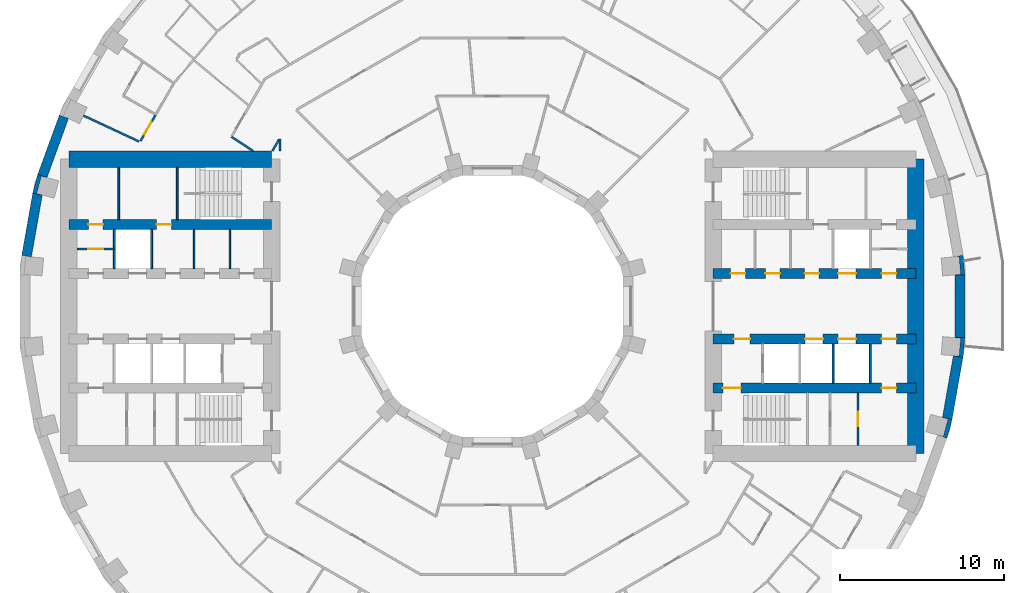
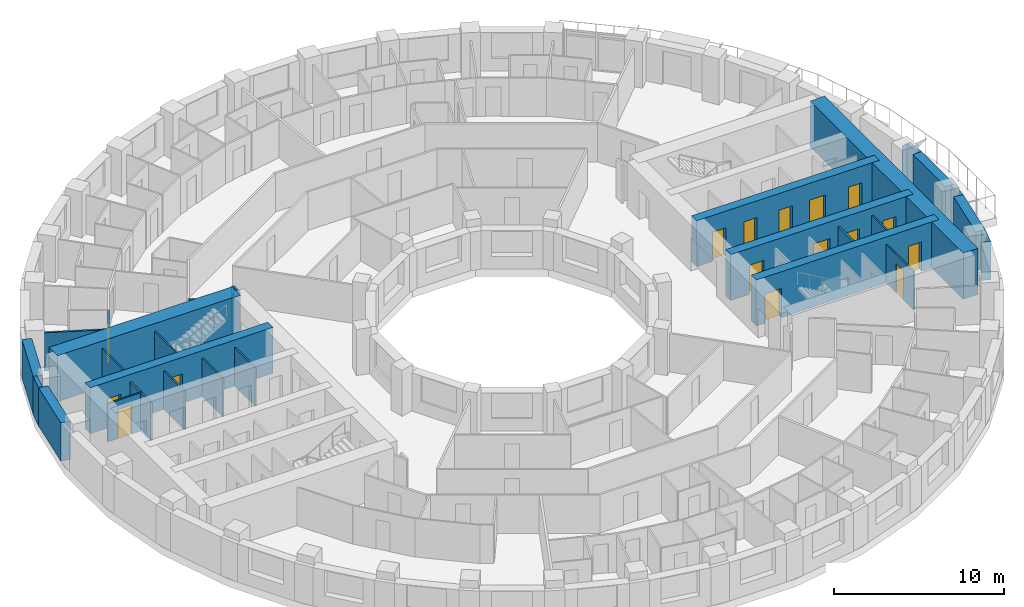
# One storey, part 9 of 15: 29 walls, 16 doors, 16 openings.
"""IFC4 building model written with IfcOpenShell, lengths in metres."""

from ifc_helpers import new_model, si_unit, direction, frame, frame_2d, origin, place, context, subcontext, project, spatial, polyline, rectangle, outline, extrude, material, layer, layer_set, type_object, element, fill, save


model = new_model("IFC4")

# Units and contexts
model_context = context("Model", 3, precision=1e-05, world=origin(), true_north=direction((0.0, 1.0)))
body_context = subcontext(model_context, "Body", "Model", "MODEL_VIEW")
ifc_project = project(units=[si_unit("LENGTHUNIT", "METRE"), si_unit("AREAUNIT", "SQUARE_METRE"), si_unit("VOLUMEUNIT", "CUBIC_METRE"), si_unit("PLANEANGLEUNIT", "RADIAN"), si_unit("MASSUNIT", "GRAM", prefix="KILO")], contexts=[model_context])

# Site, building, storey
site_placement = place(None, origin())
site = spatial("IfcSite", under=ifc_project, at=site_placement, CompositionType="ELEMENT")
building_placement = place(site_placement, origin())
building = spatial("IfcBuilding", under=site, at=building_placement, Name="Saqina Gate Tower", CompositionType="ELEMENT")
storey_placement = place(building_placement, frame((0.0, 0.0, 56.0)))
storey = spatial("IfcBuildingStorey", under=building, at=storey_placement, Name="L15", CompositionType="ELEMENT", Elevation=56.0)

# Walls
ifc_material_1 = material(Name="Brick masonry (red)", Category="masonry")
wall_type_1 = type_object("IfcWallType", Name="BRICK PIER COPING RED", PredefinedType="SOLIDWALL", material=ifc_material_1)
wall_1_placement = place(storey_placement, origin())
element("IfcWall", 1, at=wall_1_placement, inside=storey, type_object=wall_type_1, Name="Pier cap L15 column 1", PredefinedType="SOLIDWALL", context=body_context, shape_type="SweptSolid", body=[
    extrude(outline(polyline([(28.8896484375, 1.9228515625), (28.78466796875, 3.122802734375), (28.19384765625, 3.018798828125), (28.54296875, 3.04931640625), (28.638671875, 1.95361328125), (28.28955078125, 1.9228515625), (28.8896484375, 1.9228515625)])), origin(), (0.0, 0.0, 1.0), 2.75),
])
wall_2_placement = place(storey_placement, origin())
element("IfcWall", 2, at=wall_2_placement, inside=storey, type_object=wall_type_1, Name="Pier cap L15 column 17", PredefinedType="SOLIDWALL", context=body_context, shape_type="SweptSolid", body=[
    extrude(outline(polyline([(-28.11669921875, 6.910400390625), (-27.52587890625, 6.80615234375), (-27.864501953125, 6.896728515625), (-27.57958984375, 7.95947265625), (-27.2412109375, 7.86865234375), (-27.80517578125, 8.073974609375), (-28.11669921875, 6.910400390625)])), origin(), (0.0, 0.0, 1.0), 2.75),
])
wall_3_placement = place(storey_placement, origin())
element("IfcWall", 3, at=wall_3_placement, inside=storey, type_object=wall_type_1, Name="Pier cap L15 column 35", PredefinedType="SOLIDWALL", context=body_context, shape_type="SweptSolid", body=[
    extrude(outline(polyline([(28.11669921875, -6.910400390625), (27.52587890625, -6.80615234375), (27.864501953125, -6.896728515625), (27.57958984375, -7.95947265625), (27.2412109375, -7.86865234375), (27.80517578125, -8.073974609375), (28.11669921875, -6.910400390625)])), origin(), (0.0, 0.0, 1.0), 2.75),
])
wall_4_placement = place(storey_placement, origin())
element("IfcWall", 4, at=wall_4_placement, inside=storey, type_object=wall_type_1, Name="Pier cap L15 column 36", PredefinedType="SOLIDWALL", context=body_context, shape_type="SweptSolid", body=[
    extrude(outline(polyline([(28.78466796875, -3.122802734375), (28.8896484375, -1.9228515625), (28.28955078125, -1.9228515625), (28.638671875, -1.95361328125), (28.54296875, -3.04931640625), (28.19384765625, -3.018798828125), (28.78466796875, -3.122802734375)])), origin(), (0.0, 0.0, 1.0), 2.75),
])

# Wall, opening, door
ifc_material_2 = material(Name="Gypsum board on steel studs", Category="steel")
ifc_layer_1 = layer(ifc_material_2, 0.10009765625)
ifc_layer_set_1 = layer_set([ifc_layer_1], Name="CORE PARTITION")
wall_type_2 = type_object("IfcWallType", Name="CORE PARTITION", PredefinedType="PARTITIONING", material=ifc_layer_set_1)
wall_5_placement = place(storey_placement, frame((22.360107421875, -8.5, 0.0), z_axis=(0.0, 0.0, 1.0), x_axis=(0.0, 1.0, 0.0)))
wall_5 = element("IfcWall", 5, at=wall_5_placement, inside=storey, type_object=wall_type_2, Name="L15-CP-E14", PredefinedType="PARTITIONING", context=body_context, shape_type="SweptSolid", body=[
    extrude(rectangle(XDim=3.199951171875, YDim=0.10009765625, at=frame_2d((1.60009765625, 0.0))), origin(), (0.0, 0.0, 1.0), 2.75),
])
opening_1_placement = place(wall_5_placement, frame((1.14990234375, 0.0, 0.0)))
opening_1 = element("IfcOpeningElement", 6, at=opening_1_placement, cuts=wall_5, Name="Opening G04-D99", PredefinedType="OPENING", context=body_context, shape_type="SweptSolid", body=[
    extrude(rectangle(XDim=0.89990234375, YDim=2.10009765625, at=frame_2d((0.449951171875, 1.050048828125))), frame((0.0, 0.06201171875, 0.0), z_axis=(0.0, -1.0, 0.0), x_axis=(1.0, 0.0, 0.0)), (0.0, 0.0, 1.0), 0.1240234375),
])
ifc_material_3 = material(Name="Steel-framed fire door leaf, EI 60", Category="steel")
door_type_1 = type_object("IfcDoorType", Name="SERVICE ROOM DOOR 900", OperationType="SINGLE_SWING_LEFT", PredefinedType="DOOR", material=ifc_material_3)
door_1_placement = place(opening_1_placement, frame((0.89990234375, 0.0, 0.0), z_axis=(0.0, 0.0, 1.0), x_axis=(-1.0, 0.0, 0.0)))
door_1 = element("IfcDoor", 7, at=door_1_placement, inside=storey, type_object=door_type_1, Name="L15-CD-E10", OperationType="SINGLE_SWING_RIGHT", OverallHeight=2.10009765625, OverallWidth=0.89990234375, PredefinedType="DOOR", context=body_context, shape_type="SweptSolid", body=[
    extrude(rectangle(XDim=0.89990234375, YDim=2.10009765625, at=frame_2d((0.449951171875, 1.050048828125))), frame((0.0, 0.02490234375, 0.0), z_axis=(0.0, -1.0, 0.0), x_axis=(1.0, 0.0, 0.0)), (0.0, 0.0, 1.0), 0.050048828125),
])
fill(opening_1, door_1)

# Walls
for number, where, z_axis, x_axis, name in (
    (8, (-16.052001953125, 2.300048828125, 0.0), (0.0, 0.0, 1.0), (0.0, 1.0, 0.0), "L15-CP-W01"),
    (9, (-18.24072265625, 2.300048828125, 0.0), (0.0, 0.0, 1.0), (0.0, 1.0, 0.0), "L15-CP-W02"),
):
    element("IfcWall", number, at=place(storey_placement, frame(where, z_axis=z_axis, x_axis=x_axis)), inside=storey, type_object=wall_type_2, Name=name, PredefinedType="PARTITIONING", context=body_context, shape_type="SweptSolid", body=[
        extrude(rectangle(XDim=2.39990234375, YDim=0.10009765625, at=frame_2d((1.199951171875, 0.0))), origin(), (0.0, 0.0, 1.0), 2.75),
    ])

# Wall, opening, door
wall_6_placement = place(storey_placement, frame((-23.1201171875, 3.5, 0.0), z_axis=(0.0, 0.0, 1.0), x_axis=(-1.0, 0.0, 0.0)))
wall_6 = element("IfcWall", 10, at=wall_6_placement, inside=storey, type_object=wall_type_2, Name="L15-CP-W09", PredefinedType="PARTITIONING", context=body_context, shape_type="SweptSolid", body=[
    extrude(rectangle(XDim=2.27978515625, YDim=0.10009765625, at=frame_2d((1.139892578125, 0.0))), origin(), (0.0, 0.0, 1.0), 2.75),
])
opening_2_placement = place(wall_6_placement, frame((0.68994140625, 0.0, 0.0)))
opening_2 = element("IfcOpeningElement", 11, at=opening_2_placement, cuts=wall_6, Name="Opening G04-D112", PredefinedType="OPENING", context=body_context, shape_type="SweptSolid", body=[
    extrude(rectangle(XDim=0.89990234375, YDim=2.10009765625, at=frame_2d((0.449951171875, 1.050048828125))), frame((0.0, 0.06201171875, 0.0), z_axis=(0.0, -1.0, 0.0), x_axis=(1.0, 0.0, 0.0)), (0.0, 0.0, 1.0), 0.1240234375),
])
door_2_placement = place(opening_2_placement, frame((0.89990234375, 0.0, 0.0), z_axis=(0.0, 0.0, 1.0), x_axis=(-1.0, 0.0, 0.0)))
door_2 = element("IfcDoor", 12, at=door_2_placement, inside=storey, type_object=door_type_1, Name="L15-CD-W23", OperationType="SINGLE_SWING_LEFT", OverallHeight=2.10009765625, OverallWidth=0.89990234375, PredefinedType="DOOR", context=body_context, shape_type="SweptSolid", body=[
    extrude(rectangle(XDim=0.89990234375, YDim=2.10009765625, at=frame_2d((0.449951171875, 1.050048828125))), frame((0.0, 0.02490234375, 0.0), z_axis=(0.0, -1.0, 0.0), x_axis=(1.0, 0.0, 0.0)), (0.0, 0.0, 1.0), 0.050048828125),
])
fill(opening_2, door_2)

# Walls
wall_7_placement = place(storey_placement, frame((-22.846435546875, 5.300048828125, 0.0), z_axis=(0.0, 0.0, 1.0), x_axis=(0.0, 1.0, 0.0)))
element("IfcWall", 13, at=wall_7_placement, inside=storey, type_object=wall_type_2, Name="L15-CP-W11", PredefinedType="PARTITIONING", context=body_context, shape_type="SweptSolid", body=[
    extrude(rectangle(XDim=3.199951171875, YDim=0.10009765625, at=frame_2d((1.60009765625, 0.0))), origin(), (0.0, 0.0, 1.0), 2.75),
])
ifc_material_4 = material(Name="Glazed ceramic tile", Category="ceramic")
ifc_layer_2 = layer(ifc_material_4, 0.60009765625)
ifc_layer_set_2 = layer_set([ifc_layer_2], Name="FW-TILE")
wall_type_3 = type_object("IfcWallType", Name="FW-TILE", PredefinedType="SOLIDWALL", material=ifc_layer_set_2)
wall_8_placement = place(storey_placement, frame((-26.207763671875, 11.585205078125, 0.0), z_axis=(0.0, 0.0, 1.0), x_axis=(-0.342028474173, -0.939689588564, 0.0)))
element("IfcWall", 14, at=wall_8_placement, inside=storey, type_object=wall_type_3, Name="Facade wall L15 facet 16", PredefinedType="SOLIDWALL", context=body_context, shape_type="SweptSolid", body=[
    extrude(rectangle(XDim=3.845947265625, YDim=0.60009765625, at=frame_2d((1.9228515625, 0.0))), origin(), (0.0, 0.0, 1.0), 2.75),
])
wall_9_placement = place(storey_placement, frame((28.589599609375, -1.9228515625, 0.0), z_axis=(0.0, 0.0, 1.0), x_axis=(0.0, 1.0, 0.0)))
element("IfcWall", 15, at=wall_9_placement, inside=storey, type_object=wall_type_3, Name="Facade wall L15 facet 36", PredefinedType="SOLIDWALL", context=body_context, shape_type="SweptSolid", body=[
    extrude(rectangle(XDim=3.845703125, YDim=0.60009765625, at=frame_2d((1.9228515625, 0.0))), origin(), (0.0, 0.0, 1.0), 2.75),
])
ifc_material_5 = material(Name="Glazed ceramic tile (dark blue)", Category="ceramic")
ifc_layer_3 = layer(ifc_material_5, 0.60009765625)
ifc_layer_set_3 = layer_set([ifc_layer_3], Name="FW-TILE-CB")
wall_type_4 = type_object("IfcWallType", Name="FW-TILE-CB", PredefinedType="SOLIDWALL", material=ifc_layer_set_3)
wall_10_placement = place(storey_placement, frame((27.8212890625, -6.858154296875, 0.0), z_axis=(0.0, 0.0, 1.0), x_axis=(0.173687553279, 0.984800809218, 0.0)))
element("IfcWall", 16, at=wall_10_placement, inside=storey, type_object=wall_type_4, Name="Facade wall L15 facet 35", PredefinedType="SOLIDWALL", context=body_context, shape_type="SweptSolid", body=[
    extrude(rectangle(XDim=3.845703125, YDim=0.60009765625, at=frame_2d((1.9228515625, 0.0))), origin(), (0.0, 0.0, 1.0), 2.75),
])
ifc_material_6 = material(Name="Glazed ceramic tile (white)", Category="ceramic")
ifc_layer_4 = layer(ifc_material_6, 0.60009765625)
ifc_layer_set_4 = layer_set([ifc_layer_4], Name="FW-TILE-WH")
wall_type_5 = type_object("IfcWallType", Name="FW-TILE-WH", PredefinedType="SOLIDWALL", material=ifc_layer_set_4)
wall_11_placement = place(storey_placement, frame((-27.8212890625, 6.858154296875, 0.0), z_axis=(0.0, 0.0, 1.0), x_axis=(-0.173687553279, -0.984800809218, 0.0)))
element("IfcWall", 17, at=wall_11_placement, inside=storey, type_object=wall_type_5, Name="Facade wall L15 facet 17", PredefinedType="SOLIDWALL", context=body_context, shape_type="SweptSolid", body=[
    extrude(rectangle(XDim=3.845703125, YDim=0.60009765625, at=frame_2d((1.9228515625, 0.0))), origin(), (0.0, 0.0, 1.0), 2.75),
])
ifc_material_7 = material(Name="Gypsum board on steel studs, 125 mm, fire rated", Category="steel")
ifc_layer_5 = layer(ifc_material_7, 0.125)
ifc_layer_set_5 = layer_set([ifc_layer_5], Name="PARTITION EI 30 125")
wall_type_6 = type_object("IfcWallType", Name="PARTITION EI 30 125", PredefinedType="PARTITIONING", material=ifc_layer_set_5)
wall_12_placement = place(storey_placement, frame((-15.95703125, 10.362060546875, 0.0), z_axis=(0.0, 0.0, 1.0), x_axis=(0.838795721465, -0.544446267002, 0.0)))
element("IfcWall", 18, at=wall_12_placement, inside=storey, type_object=wall_type_6, Name="PARTITION PW1-08", PredefinedType="PARTITIONING", context=body_context, shape_type="SweptSolid", body=[
    extrude(rectangle(XDim=1.583251953125, YDim=0.125, at=frame_2d((0.79150390625, 0.0))), origin(), (0.0, 0.0, 1.0), 2.75),
])
wall_13_placement = place(storey_placement, frame((-25.005126953125, 11.659912109375, 0.0), z_axis=(0.0, 0.0, 1.0), x_axis=(0.906339528383, -0.42255018553, 0.0)))
element("IfcWall", 19, at=wall_13_placement, inside=storey, type_object=wall_type_6, Name="PARTITION PW1-15", PredefinedType="PARTITIONING", context=body_context, shape_type="SweptSolid", body=[
    extrude(rectangle(XDim=3.74755859375, YDim=0.125, at=frame_2d((1.873779296875, 0.0))), origin(), (0.0, 0.0, 1.0), 2.75),
])
wall_14_placement = place(storey_placement, frame((-13.451904296875, 9.5, 0.0), z_axis=(0.0, 0.0, 1.0), x_axis=(0.49991670217, 0.866073490468, 0.0)))
element("IfcWall", 20, at=wall_14_placement, inside=storey, type_object=wall_type_6, Name="PARTITION PW1-49", PredefinedType="PARTITIONING", context=body_context, shape_type="SweptSolid", body=[
    extrude(rectangle(XDim=0.834228515625, YDim=0.125, at=frame_2d((0.4169921875, 0.0))), origin(), (0.0, 0.0, 1.0), 2.75),
])

# Wall, opening, door
wall_15_placement = place(storey_placement, frame((-21.520751953125, 10.10400390625, 0.0), z_axis=(0.0, 0.0, 1.0), x_axis=(0.500003827654, 0.866023193876, 0.0)))
wall_15 = element("IfcWall", 21, at=wall_15_placement, inside=storey, type_object=wall_type_6, Name="PARTITION PW1-51", PredefinedType="PARTITIONING", context=body_context, shape_type="SweptSolid", body=[
    extrude(rectangle(XDim=1.82763671875, YDim=0.125, at=frame_2d((0.913818359375, 0.0))), origin(), (0.0, 0.0, 1.0), 2.75),
])
opening_3_placement = place(wall_15_placement, frame((0.45849609375, 0.0, 0.0)))
opening_3 = element("IfcOpeningElement", 22, at=opening_3_placement, cuts=wall_15, Name="Opening G04-D36", PredefinedType="OPENING", context=body_context, shape_type="SweptSolid", body=[
    extrude(rectangle(XDim=0.89990234375, YDim=2.10009765625, at=frame_2d((0.449951171875, 1.050048828125))), frame((0.0, 0.074462890625, 0.0), z_axis=(0.0, -1.0, 0.0), x_axis=(1.0, 0.0, 0.0)), (0.0, 0.0, 1.0), 0.14892578125),
])
ifc_material_8 = material(Name="Fire door leaf EI 30, 900 mm")
door_type_2 = type_object("IfcDoorType", Name="DOOR 900 EI 30", OperationType="SINGLE_SWING_LEFT", PredefinedType="DOOR", material=ifc_material_8)
door_3_placement = place(opening_3_placement, frame((0.89990234375, 0.0, 0.0), z_axis=(0.0, 0.0, 1.0), x_axis=(-1.0, 0.0, 0.0)))
door_3 = element("IfcDoor", 23, at=door_3_placement, inside=storey, type_object=door_type_2, Name="DOOR G04-D36", OperationType="SINGLE_SWING_RIGHT", OverallHeight=2.10009765625, OverallWidth=0.89990234375, PredefinedType="DOOR", context=body_context, shape_type="SweptSolid", body=[
    extrude(rectangle(XDim=0.89990234375, YDim=2.10009765625, at=frame_2d((0.449951171875, 1.050048828125))), frame((0.0, 0.02490234375, 0.0), z_axis=(0.0, -1.0, 0.0), x_axis=(1.0, 0.0, 0.0)), (0.0, 0.0, 1.0), 0.050048828125),
])
fill(opening_3, door_3)

# Walls
wall_16_placement = place(storey_placement, frame((-13.0, 9.5, 0.0), z_axis=(0.0, 0.0, 1.0), x_axis=(0.0, 1.0, 0.0)))
element("IfcWall", 24, at=wall_16_placement, inside=storey, type_object=wall_type_6, Name="PARTITION PW1-55", PredefinedType="PARTITIONING", context=body_context, shape_type="SweptSolid", body=[
    extrude(rectangle(XDim=0.720458984375, YDim=0.125, at=frame_2d((0.3603515625, 0.0))), origin(), (0.0, 0.0, 1.0), 2.75),
])
ifc_material_9 = material(Name="Autoclaved aerated concrete block", Category="concrete")
ifc_layer_6 = layer(ifc_material_9, 0.1201171875)
ifc_layer_set_6 = layer_set([ifc_layer_6], Name="SHAFT PARTITION")
wall_type_7 = type_object("IfcWallType", Name="SHAFT PARTITION", PredefinedType="PARTITIONING", material=ifc_layer_set_6)
for number, where, z_axis, x_axis, name in (
    (25, (20.840087890625, -4.699951171875, 0.0), (0.0, 0.0, 1.0), (0.0, 1.0, 0.0), "L15-CP-E07"),
    (26, (23.1201171875, -4.699951171875, 0.0), (0.0, 0.0, 1.0), (0.0, 1.0, 0.0), "L15-CP-E08"),
    (27, (-20.840087890625, 2.300048828125, 0.0), (0.0, 0.0, 1.0), (0.0, 1.0, 0.0), "L15-CP-W03"),
    (28, (-23.1201171875, 2.300048828125, 0.0), (0.0, 0.0, 1.0), (0.0, 1.0, 0.0), "L15-CP-W04"),
):
    element("IfcWall", number, at=place(storey_placement, frame(where, z_axis=z_axis, x_axis=x_axis)), inside=storey, type_object=wall_type_7, Name=name, PredefinedType="PARTITIONING", context=body_context, shape_type="SweptSolid", body=[
        extrude(rectangle(XDim=2.39990234375, YDim=0.1201171875, at=frame_2d((1.199951171875, 0.0))), origin(), (0.0, 0.0, 1.0), 2.75),
    ])
ifc_material_10 = material(Name="Autoclaved aerated concrete block", Category="concrete")
ifc_layer_7 = layer(ifc_material_10, 0.10009765625)
ifc_layer_set_7 = layer_set([ifc_layer_7], Name="STAIR ENCLOSURE WALL")
wall_type_8 = type_object("IfcWallType", Name="STAIR ENCLOSURE WALL", PredefinedType="PARTITIONING", material=ifc_layer_set_7)
wall_17_placement = place(storey_placement, frame((-19.27001953125, 5.300048828125, 0.0), z_axis=(0.0, 0.0, 1.0), x_axis=(0.0, 1.0, 0.0)))
element("IfcWall", 29, at=wall_17_placement, inside=storey, type_object=wall_type_8, Name="L15-CP-W10", PredefinedType="PARTITIONING", context=body_context, shape_type="SweptSolid", body=[
    extrude(rectangle(XDim=3.199951171875, YDim=0.10009765625, at=frame_2d((1.60009765625, 0.0))), origin(), (0.0, 0.0, 1.0), 2.75),
])

# Wall, openings, doors
ifc_material_11 = material(Name="Concrete C70/85", Category="concrete")
ifc_layer_8 = layer(ifc_material_11, 0.60009765625)
ifc_layer_set_8 = layer_set([ifc_layer_8], Name="Concrete C70/85")
wall_type_9 = type_object("IfcWallType", Name="STR-CORE WALL-A-I", PredefinedType="SHEAR", material=ifc_layer_set_8)
wall_18_placement = place(storey_placement, frame((13.5, -5.0, 0.0), z_axis=(0.0, 0.0, 1.0), x_axis=(1.0, 0.0, 0.0)))
wall_18 = element("IfcWall", 30, at=wall_18_placement, inside=storey, type_object=wall_type_9, Name="CORE WALL L15 E-X2", PredefinedType="SHEAR", context=body_context, shape_type="SweptSolid", body=[
    extrude(rectangle(XDim=12.39990234375, YDim=0.60009765625, at=frame_2d((6.199951171875, 0.0))), origin(), (0.0, 0.0, 1.0), 3.300048828125),
])
opening_4_placement = place(wall_18_placement, frame((10.31005859375, 0.0, 0.0)))
opening_4 = element("IfcOpeningElement", 31, at=opening_4_placement, cuts=wall_18, Name="Opening G04-D101", PredefinedType="OPENING", context=body_context, shape_type="SweptSolid", body=[
    extrude(rectangle(XDim=0.89990234375, YDim=2.10009765625, at=frame_2d((0.449951171875, 1.050048828125))), frame((0.0, 0.31201171875, 0.0), z_axis=(0.0, -1.0, 0.0), x_axis=(1.0, 0.0, 0.0)), (0.0, 0.0, 1.0), 0.6240234375),
])
opening_5_placement = place(wall_18_placement, frame((0.60009765625, 0.0, 0.0)))
opening_5 = element("IfcOpeningElement", 32, at=opening_5_placement, cuts=wall_18, Name="Opening G04-D102", PredefinedType="OPENING", context=body_context, shape_type="SweptSolid", body=[
    extrude(rectangle(XDim=1.10009765625, YDim=2.10009765625, at=frame_2d((0.550048828125, 1.050048828125))), frame((0.0, 0.31201171875, 0.0), z_axis=(0.0, -1.0, 0.0), x_axis=(1.0, 0.0, 0.0)), (0.0, 0.0, 1.0), 0.6240234375),
])
ifc_material_12 = material(Name="Steel", Category="steel")
door_type_3 = type_object("IfcDoorType", Name="FIRE LOBBY DOOR EI 60 WIDE", OperationType="SINGLE_SWING_LEFT", PredefinedType="DOOR", material=ifc_material_12)
door_4_placement = place(opening_5_placement, frame((1.10009765625, 0.0, 0.0), z_axis=(0.0, 0.0, 1.0), x_axis=(-1.0, 0.0, 0.0)))
door_4 = element("IfcDoor", 33, at=door_4_placement, inside=storey, type_object=door_type_3, Name="L15-CD-E13", OperationType="SINGLE_SWING_RIGHT", OverallHeight=2.10009765625, OverallWidth=1.10009765625, PredefinedType="DOOR", context=body_context, shape_type="SweptSolid", body=[
    extrude(rectangle(XDim=1.10009765625, YDim=2.10009765625, at=frame_2d((0.550048828125, 1.050048828125))), frame((0.0, 0.02490234375, 0.0), z_axis=(0.0, -1.0, 0.0), x_axis=(1.0, 0.0, 0.0)), (0.0, 0.0, 1.0), 0.050048828125),
])
fill(opening_5, door_4)
door_5_placement = place(opening_4_placement, frame((0.89990234375, 0.0, 0.0), z_axis=(0.0, 0.0, 1.0), x_axis=(-1.0, 0.0, 0.0)))
door_5 = element("IfcDoor", 34, at=door_5_placement, inside=storey, type_object=door_type_1, Name="L15-CD-E12", OperationType="SINGLE_SWING_LEFT", OverallHeight=2.10009765625, OverallWidth=0.89990234375, PredefinedType="DOOR", context=body_context, shape_type="SweptSolid", body=[
    extrude(rectangle(XDim=0.89990234375, YDim=2.10009765625, at=frame_2d((0.449951171875, 1.050048828125))), frame((0.0, 0.02490234375, 0.0), z_axis=(0.0, -1.0, 0.0), x_axis=(1.0, 0.0, 0.0)), (0.0, 0.0, 1.0), 0.050048828125),
])
fill(opening_4, door_5)

wall_19_placement = place(storey_placement, frame((13.5, 2.0, 0.0), z_axis=(0.0, 0.0, 1.0), x_axis=(1.0, 0.0, 0.0)))
wall_19 = element("IfcWall", 35, at=wall_19_placement, inside=storey, type_object=wall_type_9, Name="CORE WALL L15 E-L1", PredefinedType="SHEAR", context=body_context, shape_type="SweptSolid", body=[
    extrude(rectangle(XDim=12.39990234375, YDim=0.60009765625, at=frame_2d((6.199951171875, 0.0))), origin(), (0.0, 0.0, 1.0), 3.300048828125),
])
opening_6_placement = place(wall_19_placement, frame((7.64990234375, 0.0, 0.0)))
opening_6 = element("IfcOpeningElement", 36, at=opening_6_placement, cuts=wall_19, Name="Opening G04-LD1", PredefinedType="OPENING", context=body_context, shape_type="SweptSolid", body=[
    extrude(rectangle(XDim=1.10009765625, YDim=2.10009765625, at=frame_2d((0.550048828125, 1.050048828125))), frame((0.0, 0.31201171875, 0.0), z_axis=(0.0, -1.0, 0.0), x_axis=(1.0, 0.0, 0.0)), (0.0, 0.0, 1.0), 0.6240234375),
])
opening_7_placement = place(wall_19_placement, frame((1.075927734375, 0.0, 0.0)))
opening_7 = element("IfcOpeningElement", 37, at=opening_7_placement, cuts=wall_19, Name="Opening G04-D90", PredefinedType="OPENING", context=body_context, shape_type="SweptSolid", body=[
    extrude(rectangle(XDim=0.89990234375, YDim=2.10009765625, at=frame_2d((0.449951171875, 1.050048828125))), frame((0.0, 0.31201171875, 0.0), z_axis=(0.0, -1.0, 0.0), x_axis=(1.0, 0.0, 0.0)), (0.0, 0.0, 1.0), 0.6240234375),
])
opening_8_placement = place(wall_19_placement, frame((3.1962890625, 0.0, 0.0)))
opening_8 = element("IfcOpeningElement", 38, at=opening_8_placement, cuts=wall_19, Name="Opening G04-D91", PredefinedType="OPENING", context=body_context, shape_type="SweptSolid", body=[
    extrude(rectangle(XDim=0.89990234375, YDim=2.10009765625, at=frame_2d((0.449951171875, 1.050048828125))), frame((0.0, 0.31201171875, 0.0), z_axis=(0.0, -1.0, 0.0), x_axis=(1.0, 0.0, 0.0)), (0.0, 0.0, 1.0), 0.6240234375),
])
opening_9_placement = place(wall_19_placement, frame((5.59033203125, 0.0, 0.0)))
opening_9 = element("IfcOpeningElement", 39, at=opening_9_placement, cuts=wall_19, Name="Opening G04-D92", PredefinedType="OPENING", context=body_context, shape_type="SweptSolid", body=[
    extrude(rectangle(XDim=0.89990234375, YDim=2.10009765625, at=frame_2d((0.449951171875, 1.050048828125))), frame((0.0, 0.31201171875, 0.0), z_axis=(0.0, -1.0, 0.0), x_axis=(1.0, 0.0, 0.0)), (0.0, 0.0, 1.0), 0.6240234375),
])
opening_10_placement = place(wall_19_placement, frame((10.31005859375, 0.0, 0.0)))
opening_10 = element("IfcOpeningElement", 40, at=opening_10_placement, cuts=wall_19, Name="Opening G04-D93", PredefinedType="OPENING", context=body_context, shape_type="SweptSolid", body=[
    extrude(rectangle(XDim=0.89990234375, YDim=2.10009765625, at=frame_2d((0.449951171875, 1.050048828125))), frame((0.0, 0.31201171875, 0.0), z_axis=(0.0, -1.0, 0.0), x_axis=(1.0, 0.0, 0.0)), (0.0, 0.0, 1.0), 0.6240234375),
])
ifc_material_13 = material(Name="Stainless steel", Category="steel")
door_type_4 = type_object("IfcDoorType", Name="LANDING DOOR", OperationType="DOUBLE_DOOR_SLIDING", PredefinedType="DOOR", material=ifc_material_13)
door_6_placement = place(opening_6_placement, origin())
door_6 = element("IfcDoor", 41, at=door_6_placement, inside=storey, type_object=door_type_4, Name="LANDING DOOR LR1", OperationType="DOUBLE_DOOR_SLIDING", OverallHeight=2.10009765625, OverallWidth=1.10009765625, PredefinedType="DOOR", context=body_context, shape_type="SweptSolid", body=[
    extrude(rectangle(XDim=1.10009765625, YDim=2.10009765625, at=frame_2d((0.550048828125, 1.050048828125))), frame((0.0, 0.02490234375, 0.0), z_axis=(0.0, -1.0, 0.0), x_axis=(1.0, 0.0, 0.0)), (0.0, 0.0, 1.0), 0.050048828125),
])
fill(opening_6, door_6)
door_7_placement = place(opening_7_placement, origin())
door_7 = element("IfcDoor", 42, at=door_7_placement, inside=storey, type_object=door_type_1, Name="L15-CD-E01", OperationType="SINGLE_SWING_RIGHT", OverallHeight=2.10009765625, OverallWidth=0.89990234375, PredefinedType="DOOR", context=body_context, shape_type="SweptSolid", body=[
    extrude(rectangle(XDim=0.89990234375, YDim=2.10009765625, at=frame_2d((0.449951171875, 1.050048828125))), frame((0.0, 0.02490234375, 0.0), z_axis=(0.0, -1.0, 0.0), x_axis=(1.0, 0.0, 0.0)), (0.0, 0.0, 1.0), 0.050048828125),
])
fill(opening_7, door_7)
door_8_placement = place(opening_8_placement, origin())
door_8 = element("IfcDoor", 43, at=door_8_placement, inside=storey, type_object=door_type_1, Name="L15-CD-E02", OperationType="SINGLE_SWING_LEFT", OverallHeight=2.10009765625, OverallWidth=0.89990234375, PredefinedType="DOOR", context=body_context, shape_type="SweptSolid", body=[
    extrude(rectangle(XDim=0.89990234375, YDim=2.10009765625, at=frame_2d((0.449951171875, 1.050048828125))), frame((0.0, 0.02490234375, 0.0), z_axis=(0.0, -1.0, 0.0), x_axis=(1.0, 0.0, 0.0)), (0.0, 0.0, 1.0), 0.050048828125),
])
fill(opening_8, door_8)
door_9_placement = place(opening_9_placement, origin())
door_9 = element("IfcDoor", 44, at=door_9_placement, inside=storey, type_object=door_type_1, Name="L15-CD-E03", OperationType="SINGLE_SWING_LEFT", OverallHeight=2.10009765625, OverallWidth=0.89990234375, PredefinedType="DOOR", context=body_context, shape_type="SweptSolid", body=[
    extrude(rectangle(XDim=0.89990234375, YDim=2.10009765625, at=frame_2d((0.449951171875, 1.050048828125))), frame((0.0, 0.02490234375, 0.0), z_axis=(0.0, -1.0, 0.0), x_axis=(1.0, 0.0, 0.0)), (0.0, 0.0, 1.0), 0.050048828125),
])
fill(opening_9, door_9)
door_10_placement = place(opening_10_placement, origin())
door_10 = element("IfcDoor", 45, at=door_10_placement, inside=storey, type_object=door_type_1, Name="L15-CD-E04", OperationType="SINGLE_SWING_RIGHT", OverallHeight=2.10009765625, OverallWidth=0.89990234375, PredefinedType="DOOR", context=body_context, shape_type="SweptSolid", body=[
    extrude(rectangle(XDim=0.89990234375, YDim=2.10009765625, at=frame_2d((0.449951171875, 1.050048828125))), frame((0.0, 0.02490234375, 0.0), z_axis=(0.0, -1.0, 0.0), x_axis=(1.0, 0.0, 0.0)), (0.0, 0.0, 1.0), 0.050048828125),
])
fill(opening_10, door_10)

wall_20_placement = place(storey_placement, frame((13.5, -2.0, 0.0), z_axis=(0.0, 0.0, 1.0), x_axis=(1.0, 0.0, 0.0)))
wall_20 = element("IfcWall", 46, at=wall_20_placement, inside=storey, type_object=wall_type_9, Name="CORE WALL L15 E-L2", PredefinedType="SHEAR", context=body_context, shape_type="SweptSolid", body=[
    extrude(rectangle(XDim=12.39990234375, YDim=0.60009765625, at=frame_2d((6.199951171875, 0.0))), origin(), (0.0, 0.0, 1.0), 3.300048828125),
])
opening_11_placement = place(wall_20_placement, frame((5.6201171875, 0.0, 0.0)))
opening_11 = element("IfcOpeningElement", 47, at=opening_11_placement, cuts=wall_20, Name="Opening G04-LD3", PredefinedType="OPENING", context=body_context, shape_type="SweptSolid", body=[
    extrude(rectangle(XDim=1.10009765625, YDim=2.10009765625, at=frame_2d((0.550048828125, 1.050048828125))), frame((0.0, 0.31201171875, 0.0), z_axis=(0.0, -1.0, 0.0), x_axis=(1.0, 0.0, 0.0)), (0.0, 0.0, 1.0), 0.6240234375),
])
opening_12_placement = place(wall_20_placement, frame((7.64990234375, 0.0, 0.0)))
opening_12 = element("IfcOpeningElement", 48, at=opening_12_placement, cuts=wall_20, Name="Opening G04-LD4", PredefinedType="OPENING", context=body_context, shape_type="SweptSolid", body=[
    extrude(rectangle(XDim=1.10009765625, YDim=2.10009765625, at=frame_2d((0.550048828125, 1.050048828125))), frame((0.0, 0.31201171875, 0.0), z_axis=(0.0, -1.0, 0.0), x_axis=(1.0, 0.0, 0.0)), (0.0, 0.0, 1.0), 0.6240234375),
])
opening_13_placement = place(wall_20_placement, frame((1.264892578125, 0.0, 0.0)))
opening_13 = element("IfcOpeningElement", 49, at=opening_13_placement, cuts=wall_20, Name="Opening G04-D94", PredefinedType="OPENING", context=body_context, shape_type="SweptSolid", body=[
    extrude(rectangle(XDim=1.0, YDim=2.10009765625, at=frame_2d((0.5, 1.050048828125))), frame((0.0, 0.31201171875, 0.0), z_axis=(0.0, -1.0, 0.0), x_axis=(1.0, 0.0, 0.0)), (0.0, 0.0, 1.0), 0.6240234375),
])
opening_14_placement = place(wall_20_placement, frame((10.31005859375, 0.0, 0.0)))
opening_14 = element("IfcOpeningElement", 50, at=opening_14_placement, cuts=wall_20, Name="Opening G04-D95", PredefinedType="OPENING", context=body_context, shape_type="SweptSolid", body=[
    extrude(rectangle(XDim=0.89990234375, YDim=2.10009765625, at=frame_2d((0.449951171875, 1.050048828125))), frame((0.0, 0.31201171875, 0.0), z_axis=(0.0, -1.0, 0.0), x_axis=(1.0, 0.0, 0.0)), (0.0, 0.0, 1.0), 0.6240234375),
])
ifc_material_14 = material(Name="Steel", Category="steel")
door_type_5 = type_object("IfcDoorType", Name="FIRE LOBBY DOOR EI 60", OperationType="SINGLE_SWING_LEFT", PredefinedType="DOOR", material=ifc_material_14)
door_11_placement = place(opening_13_placement, origin())
door_11 = element("IfcDoor", 51, at=door_11_placement, inside=storey, type_object=door_type_5, Name="L15-CD-E05", OperationType="SINGLE_SWING_LEFT", OverallHeight=2.10009765625, OverallWidth=1.0, PredefinedType="DOOR", context=body_context, shape_type="SweptSolid", body=[
    extrude(rectangle(XDim=1.0, YDim=2.10009765625, at=frame_2d((0.5, 1.050048828125))), frame((0.0, 0.02490234375, 0.0), z_axis=(0.0, -1.0, 0.0), x_axis=(1.0, 0.0, 0.0)), (0.0, 0.0, 1.0), 0.050048828125),
])
fill(opening_13, door_11)
door_12_placement = place(opening_11_placement, origin())
door_12 = element("IfcDoor", 52, at=door_12_placement, inside=storey, type_object=door_type_4, Name="LANDING DOOR LR3", OperationType="DOUBLE_DOOR_SLIDING", OverallHeight=2.10009765625, OverallWidth=1.10009765625, PredefinedType="DOOR", context=body_context, shape_type="SweptSolid", body=[
    extrude(rectangle(XDim=1.10009765625, YDim=2.10009765625, at=frame_2d((0.550048828125, 1.050048828125))), frame((0.0, 0.02490234375, 0.0), z_axis=(0.0, -1.0, 0.0), x_axis=(1.0, 0.0, 0.0)), (0.0, 0.0, 1.0), 0.050048828125),
])
fill(opening_11, door_12)
door_13_placement = place(opening_12_placement, origin())
door_13 = element("IfcDoor", 53, at=door_13_placement, inside=storey, type_object=door_type_4, Name="LANDING DOOR LR2", OperationType="DOUBLE_DOOR_SLIDING", OverallHeight=2.10009765625, OverallWidth=1.10009765625, PredefinedType="DOOR", context=body_context, shape_type="SweptSolid", body=[
    extrude(rectangle(XDim=1.10009765625, YDim=2.10009765625, at=frame_2d((0.550048828125, 1.050048828125))), frame((0.0, 0.02490234375, 0.0), z_axis=(0.0, -1.0, 0.0), x_axis=(1.0, 0.0, 0.0)), (0.0, 0.0, 1.0), 0.050048828125),
])
fill(opening_12, door_13)
door_14_placement = place(opening_14_placement, frame((0.89990234375, 0.0, 0.0), z_axis=(0.0, 0.0, 1.0), x_axis=(-1.0, 0.0, 0.0)))
door_14 = element("IfcDoor", 54, at=door_14_placement, inside=storey, type_object=door_type_1, Name="L15-CD-E06", OperationType="SINGLE_SWING_LEFT", OverallHeight=2.10009765625, OverallWidth=0.89990234375, PredefinedType="DOOR", context=body_context, shape_type="SweptSolid", body=[
    extrude(rectangle(XDim=0.89990234375, YDim=2.10009765625, at=frame_2d((0.449951171875, 1.050048828125))), frame((0.0, 0.02490234375, 0.0), z_axis=(0.0, -1.0, 0.0), x_axis=(1.0, 0.0, 0.0)), (0.0, 0.0, 1.0), 0.050048828125),
])
fill(opening_14, door_14)

wall_21_placement = place(storey_placement, frame((-13.5, 5.0, 0.0), z_axis=(0.0, 0.0, 1.0), x_axis=(-1.0, 0.0, 0.0)))
wall_21 = element("IfcWall", 55, at=wall_21_placement, inside=storey, type_object=wall_type_9, Name="CORE WALL L15 W-X1", PredefinedType="SHEAR", context=body_context, shape_type="SweptSolid", body=[
    extrude(rectangle(XDim=12.39990234375, YDim=0.60009765625, at=frame_2d((6.199951171875, 0.0))), origin(), (0.0, 0.0, 1.0), 3.300048828125),
])
opening_15_placement = place(wall_21_placement, frame((6.1298828125, 0.0, 0.0)))
opening_15 = element("IfcOpeningElement", 56, at=opening_15_placement, cuts=wall_21, Name="Opening G04-D113", PredefinedType="OPENING", context=body_context, shape_type="SweptSolid", body=[
    extrude(rectangle(XDim=0.89990234375, YDim=2.10009765625, at=frame_2d((0.449951171875, 1.050048828125))), frame((0.0, 0.31201171875, 0.0), z_axis=(0.0, -1.0, 0.0), x_axis=(1.0, 0.0, 0.0)), (0.0, 0.0, 1.0), 0.6240234375),
])
opening_16_placement = place(wall_21_placement, frame((10.31005859375, 0.0, 0.0)))
opening_16 = element("IfcOpeningElement", 57, at=opening_16_placement, cuts=wall_21, Name="Opening G04-D114", PredefinedType="OPENING", context=body_context, shape_type="SweptSolid", body=[
    extrude(rectangle(XDim=0.89990234375, YDim=2.10009765625, at=frame_2d((0.449951171875, 1.050048828125))), frame((0.0, 0.31201171875, 0.0), z_axis=(0.0, -1.0, 0.0), x_axis=(1.0, 0.0, 0.0)), (0.0, 0.0, 1.0), 0.6240234375),
])
door_15_placement = place(opening_15_placement, frame((0.89990234375, 0.0, 0.0), z_axis=(0.0, 0.0, 1.0), x_axis=(-1.0, 0.0, 0.0)))
door_15 = element("IfcDoor", 58, at=door_15_placement, inside=storey, type_object=door_type_1, Name="L15-CD-W24", OperationType="SINGLE_SWING_RIGHT", OverallHeight=2.10009765625, OverallWidth=0.89990234375, PredefinedType="DOOR", context=body_context, shape_type="SweptSolid", body=[
    extrude(rectangle(XDim=0.89990234375, YDim=2.10009765625, at=frame_2d((0.449951171875, 1.050048828125))), frame((0.0, 0.02490234375, 0.0), z_axis=(0.0, -1.0, 0.0), x_axis=(1.0, 0.0, 0.0)), (0.0, 0.0, 1.0), 0.050048828125),
])
fill(opening_15, door_15)
door_16_placement = place(opening_16_placement, frame((0.89990234375, 0.0, 0.0), z_axis=(0.0, 0.0, 1.0), x_axis=(-1.0, 0.0, 0.0)))
door_16 = element("IfcDoor", 59, at=door_16_placement, inside=storey, type_object=door_type_1, Name="L15-CD-W25", OperationType="SINGLE_SWING_LEFT", OverallHeight=2.10009765625, OverallWidth=0.89990234375, PredefinedType="DOOR", context=body_context, shape_type="SweptSolid", body=[
    extrude(rectangle(XDim=0.89990234375, YDim=2.10009765625, at=frame_2d((0.449951171875, 1.050048828125))), frame((0.0, 0.02490234375, 0.0), z_axis=(0.0, -1.0, 0.0), x_axis=(1.0, 0.0, 0.0)), (0.0, 0.0, 1.0), 0.050048828125),
])
fill(opening_16, door_16)

# Walls
ifc_material_15 = material(Name="Concrete C70/85", Category="concrete")
ifc_layer_9 = layer(ifc_material_15, 1.0)
ifc_layer_set_9 = layer_set([ifc_layer_9], Name="Concrete C70/85")
wall_type_10 = type_object("IfcWallType", Name="STR-CORE WALL-A-O", PredefinedType="SHEAR", material=ifc_layer_set_9)
wall_22_placement = place(storey_placement, frame((25.89990234375, -9.0, 0.0), z_axis=(0.0, 0.0, 1.0), x_axis=(0.0, 1.0, 0.0)))
element("IfcWall", 60, at=wall_22_placement, inside=storey, type_object=wall_type_10, Name="CORE WALL L15 E-W2", PredefinedType="SHEAR", context=body_context, shape_type="SweptSolid", body=[
    extrude(rectangle(XDim=18.0, YDim=1.0, at=frame_2d((9.0, 0.0))), origin(), (0.0, 0.0, 1.0), 3.300048828125),
])
wall_23_placement = place(storey_placement, frame((-13.5, 9.0, 0.0), z_axis=(0.0, 0.0, 1.0), x_axis=(-1.0, 0.0, 0.0)))
element("IfcWall", 61, at=wall_23_placement, inside=storey, type_object=wall_type_10, Name="CORE WALL L15 W-NE", PredefinedType="SHEAR", context=body_context, shape_type="SweptSolid", body=[
    extrude(rectangle(XDim=12.39990234375, YDim=1.0, at=frame_2d((6.199951171875, 0.0))), origin(), (0.0, 0.0, 1.0), 3.300048828125),
])

save(model, "model.ifc")
